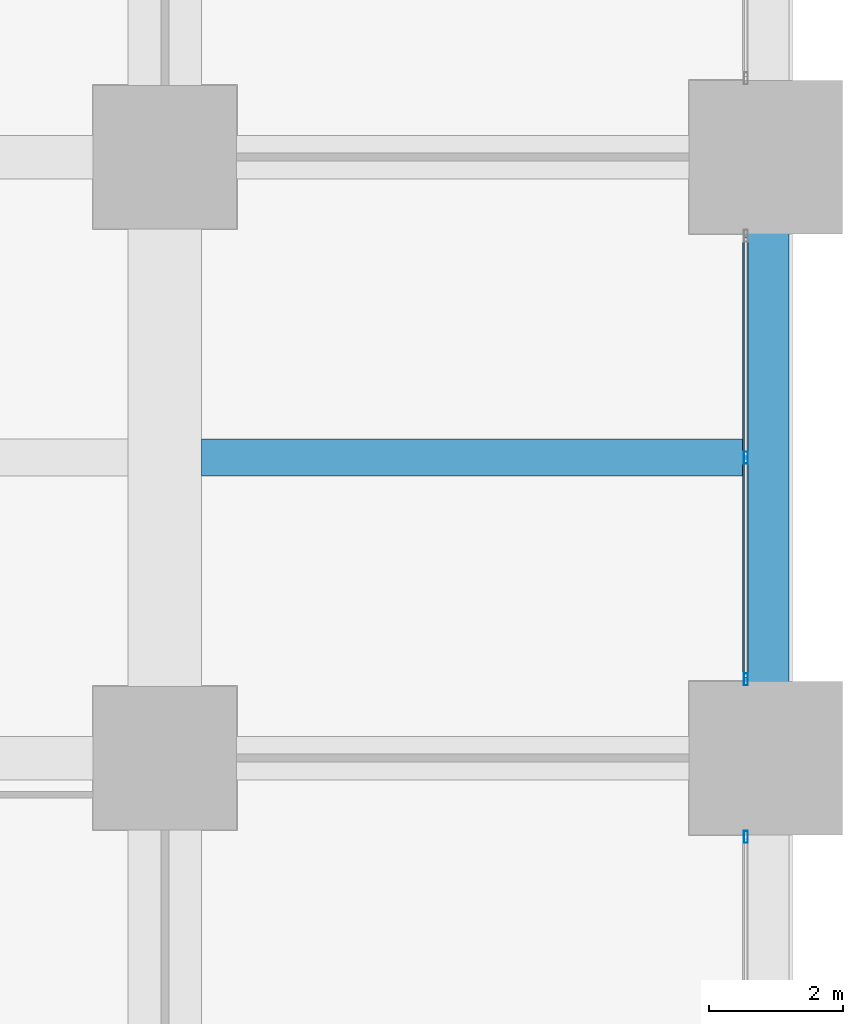
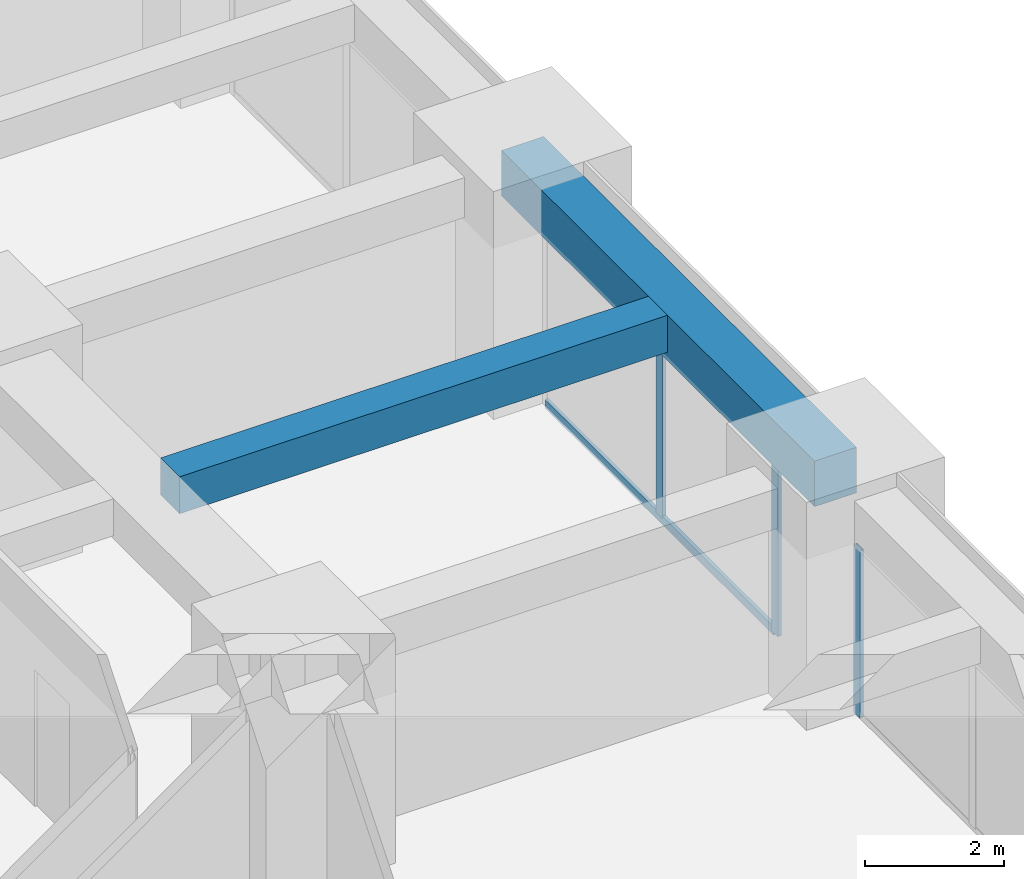
# One storey, part 20 of 44: 4 members, 2 beams, 2 elements without a shape of their own.
"""IFC4 building model written with IfcOpenShell, lengths in metres."""

import ifcopenshell
import ifcopenshell.guid

model = None  # the IFC model being written
_history = None  # IfcOwnerHistory: only IFC2X3 demands one
_inside = {}  # id of a spatial element -> (the spatial element, [elements in it])
_under = {}  # id of a project, library or spatial element -> (it, [spatial elements below it])
_declared = {}  # id of a project -> (the project, [libraries it declares])
_typed = {}  # id of a type object -> (the type object, [elements of that type])
_made_of = {}  # id of a material, layer set ... -> (it, [elements and type objects made of it])


def new_model(schema):
    """Start an empty IFC model of exactly this schema.

    Asked for "IFC4X3", IfcOpenShell would pick the latest addendum, in which some entities
    have other attributes; the version numbers below select the first issue.
    IFC2X3 requires an IfcOwnerHistory on every rooted entity: one is made here for all.
    """
    global model, _history
    if schema == "IFC4X3":
        model = ifcopenshell.file(schema_version=(4, 3, 0, 0))
    else:
        model = ifcopenshell.file(schema=schema)
    _inside.clear()
    _under.clear()
    _declared.clear()
    _typed.clear()
    _made_of.clear()
    _history = None
    if model.schema == "IFC2X3":
        org = make("IfcOrganization", Name="unknown")
        user = make(
            "IfcPersonAndOrganization",
            ThePerson=make("IfcPerson", FamilyName="unknown"),
            TheOrganization=org,
        )
        app = make(
            "IfcApplication",
            ApplicationDeveloper=org,
            Version="unknown",
            ApplicationFullName="unknown",
            ApplicationIdentifier="unknown",
        )
        _history = make(
            "IfcOwnerHistory",
            OwningUser=user,
            OwningApplication=app,
            ChangeAction="ADDED",
            CreationDate=0,
        )
    return model


def make(cls, **values):
    """One entity of the class cls with the attributes given. An attribute that is None is left unset."""
    return model.create_entity(
        cls, **{name: value for name, value in values.items() if value is not None}
    )


def rooted(cls, **values):
    """An entity with a GlobalId (a new one), such as an element, a storey or a relation."""
    return make(cls, GlobalId=ifcopenshell.guid.new(), OwnerHistory=_history, **values)


def si_unit(unit_type, name, prefix=None):
    """IfcSIUnit, for example si_unit("LENGTHUNIT", "METRE", prefix="MILLI")."""
    return make("IfcSIUnit", UnitType=unit_type, Prefix=prefix, Name=name)


def assignment(units):
    """IfcUnitAssignment: the units of a project."""
    return None if units is None else make("IfcUnitAssignment", Units=units)


def point(xyz):
    """IfcCartesianPoint."""
    return None if xyz is None else make("IfcCartesianPoint", Coordinates=xyz)


def direction(xyz):
    """IfcDirection."""
    return None if xyz is None else make("IfcDirection", DirectionRatios=xyz)


def frame(location, z_axis=None, x_axis=None):
    """IfcAxis2Placement3D, a coordinate frame: its origin and axes. An axis left out is left unset."""
    return make(
        "IfcAxis2Placement3D",
        Location=point(location),
        Axis=direction(z_axis),
        RefDirection=direction(x_axis),
    )


def frame_2d(location, x_axis=None):
    """IfcAxis2Placement2D, a coordinate frame in the plane: its origin and x axis."""
    return make(
        "IfcAxis2Placement2D", Location=point(location), RefDirection=direction(x_axis)
    )


def origin():
    """The frame at (0, 0, 0) with its axes left unset."""
    return frame((0.0, 0.0, 0.0))


def origin_2d():
    """The frame at (0, 0) in the plane with its x axis left unset."""
    return frame_2d((0.0, 0.0))


def place(relative_to, where):
    """IfcLocalPlacement: puts the frame where relative to a parent placement (None: the world)."""
    return make(
        "IfcLocalPlacement", PlacementRelTo=relative_to, RelativePlacement=where
    )


def context(
    kind, dimensions, precision=None, world=None, true_north=None, identifier=None
):
    """IfcGeometricRepresentationContext, for example the 3D "Model" context."""
    return make(
        "IfcGeometricRepresentationContext",
        ContextIdentifier=identifier,
        ContextType=kind,
        CoordinateSpaceDimension=dimensions,
        Precision=precision,
        WorldCoordinateSystem=world,
        TrueNorth=true_north,
    )


def subcontext(parent, identifier, kind, view, scale=None):
    """IfcGeometricRepresentationSubContext, for example "Body" below "Model"."""
    return make(
        "IfcGeometricRepresentationSubContext",
        ContextIdentifier=identifier,
        ContextType=kind,
        ParentContext=parent,
        TargetScale=scale,
        TargetView=view,
    )


def project(units=None, contexts=None):
    """IfcProject with its units and contexts."""
    return rooted(
        "IfcProject",
        Name="project",
        RepresentationContexts=contexts,
        UnitsInContext=assignment(units),
    )


def spatial(cls, under=None, at=None, **own):
    """A site, building, storey or space (cls), placed at a placement, below another one or the project."""
    s = rooted(cls, ObjectPlacement=at, **own)
    if under is not None:
        _under.setdefault(under.id(), (under, []))[1].append(s)
    return s


def profile(cls, at=None, kind="AREA", **sizes):
    """A parametric profile (cls). Its sizes go by their IFC names, for example OverallWidth=200.0."""
    return make(cls, ProfileType=kind, Position=at, **sizes)


def rectangle(**sizes):
    """IfcRectangleProfileDef."""
    return profile("IfcRectangleProfileDef", **sizes)


def hollow_rectangle(**sizes):
    """IfcRectangleHollowProfileDef."""
    return profile("IfcRectangleHollowProfileDef", **sizes)


def extrude(swept, where, along, depth):
    """IfcExtrudedAreaSolid: the profile swept, set in the frame where, extruded along a direction by depth."""
    return make(
        "IfcExtrudedAreaSolid",
        SweptArea=swept,
        Position=where,
        ExtrudedDirection=direction(along),
        Depth=depth,
    )


def shape(context_of_items, identifier, shape_type, items):
    """IfcShapeRepresentation: the items that make up one representation, for example the "Body"."""
    return make(
        "IfcShapeRepresentation",
        ContextOfItems=context_of_items,
        RepresentationIdentifier=identifier,
        RepresentationType=shape_type,
        Items=items,
    )


def material(Name=None, Category=None):
    """IfcMaterial."""
    return make("IfcMaterial", Name=Name, Category=Category)


def material_profile(
    of_material, cross_section, Name=None, Category=None, Priority=None
):
    """IfcMaterialProfile: a cross section and its material."""
    return make(
        "IfcMaterialProfile",
        Name=Name,
        Material=of_material,
        Profile=cross_section,
        Priority=Priority,
        Category=Category,
    )


def profile_set(profiles, Name=None, composite=None):
    """IfcMaterialProfileSet."""
    return make(
        "IfcMaterialProfileSet",
        Name=Name,
        MaterialProfiles=profiles,
        CompositeProfile=composite,
    )


def made_of(thing, what):
    """Note that an element or type object is made of a material, layer set ...; save() writes the relation."""
    if what is not None:
        _made_of.setdefault(what.id(), (what, []))[1].append(thing)
    return thing


def type_object(cls, material=None, **own):
    """A type object (cls), such as IfcWallType, which elements share."""
    return made_of(rooted(cls, **own), material)


def element(
    cls,
    number,
    at=None,
    inside=None,
    cuts=None,
    type_object=None,
    material=None,
    context=None,
    identifier="Body",
    shape_type=None,
    held_by="IfcProductDefinitionShape",
    body=None,
    shapes=None,
    **own,
):
    """One element of the class cls, such as IfcWall. Its Tag is "e" and its number.

    at: its placement. inside: the storey or other place that contains it. cuts: it is an
    opening in that element (IfcRelVoidsElement). A single representation is given by context,
    identifier, shape_type and body (its items); several are given by shapes. held_by: the class
    of the entity that holds the representations. save() writes the other relations.
    """
    e = rooted(cls, Tag="e%d" % number, ObjectPlacement=at, **own)
    if body is not None:
        shapes = [shape(context, identifier, shape_type, body)]
    if shapes is not None:
        e.Representation = make(held_by, Representations=shapes)
    if inside is not None:
        _inside.setdefault(inside.id(), (inside, []))[1].append(e)
    if cuts is not None:
        rooted(
            "IfcRelVoidsElement", RelatingBuildingElement=cuts, RelatedOpeningElement=e
        )
    if type_object is not None:
        _typed.setdefault(type_object.id(), (type_object, []))[1].append(e)
    return made_of(e, material)


def aggregate(whole, parts):
    """IfcRelAggregates: a whole, such as a stair, and the parts it consists of."""
    return rooted("IfcRelAggregates", RelatingObject=whole, RelatedObjects=parts)


def save(model, path):
    """Write the relations noted so far, then the file.

    IfcRelAggregates (storeys below a building ...), IfcRelContainedInSpatialStructure (elements
    in a storey), IfcRelDefinesByType, IfcRelAssociatesMaterial and IfcRelDeclares: one each for
    every whole, place, type object, material and project.
    """
    for whole, parts in _under.values():
        aggregate(whole, parts)
    for where, things in _inside.values():
        rooted(
            "IfcRelContainedInSpatialStructure",
            RelatedElements=things,
            RelatingStructure=where,
        )
    for kind, things in _typed.values():
        rooted("IfcRelDefinesByType", RelatedObjects=things, RelatingType=kind)
    for what, things in _made_of.values():
        rooted("IfcRelAssociatesMaterial", RelatedObjects=things, RelatingMaterial=what)
    for by, libraries in _declared.values():
        rooted("IfcRelDeclares", RelatingContext=by, RelatedDefinitions=libraries)
    model.write(path)


model = new_model("IFC4")

# Units and contexts
model_context = context("Model", 3, precision=1e-05, world=origin(), true_north=direction((0.0, 1.0)))
body_context = subcontext(model_context, "Body", "Model", "MODEL_VIEW")
ifc_project = project(units=[si_unit("LENGTHUNIT", "METRE"), si_unit("AREAUNIT", "SQUARE_METRE"), si_unit("VOLUMEUNIT", "CUBIC_METRE"), si_unit("PLANEANGLEUNIT", "RADIAN"), si_unit("MASSUNIT", "GRAM", prefix="KILO")], contexts=[model_context])

# Site, building, storey
site_placement = place(None, origin())
site = spatial("IfcSite", under=ifc_project, at=site_placement, CompositionType="ELEMENT")
building_placement = place(site_placement, origin())
building = spatial("IfcBuilding", under=site, at=building_placement, Name="Zorevar Civic Tower", CompositionType="ELEMENT")
storey_placement = place(building_placement, frame((0.0, 0.0, 59.800048828125)))
storey = spatial("IfcBuildingStorey", under=building, at=storey_placement, Name="L14", CompositionType="ELEMENT", Elevation=59.800048828125)

# Beam
ifc_material_1 = material(Name="Concrete C50/60", Category="concrete")
ifc_material_profile_1 = material_profile(ifc_material_1, rectangle(XDim=0.550048828125, YDim=0.64990234375, at=origin_2d()), Name="RC 550x650")
ifc_profile_set_1 = profile_set([ifc_material_profile_1], Name="Concrete C50/60")
beam_type_1 = type_object("IfcBeamType", Name="Beam RC 550x650", PredefinedType="BEAM", material=ifc_profile_set_1)
beam_1_placement = place(storey_placement, frame((54.550048828125, 22.5, 3.425048828125), z_axis=(1.0, 0.0, 0.0), x_axis=(0.0, 1.0, 0.0)))
element("IfcBeam", 1, at=beam_1_placement, inside=storey, type_object=beam_type_1, Name="Secondary beam L15", PredefinedType="BEAM", context=body_context, shape_type="SweptSolid", body=[
    extrude(rectangle(XDim=0.550048828125, YDim=0.64990234375, at=origin_2d()), origin(), (0.0, 0.0, 1.0), 8.099853515625),
])

# Curtain wall, member
ifc_material_2 = material(Name="Dark grey solar-control glass in black aluminium frame", Category="aluminium")
curtain_wall_type = type_object("IfcCurtainWallType", Name="Curtain wall CW2 low zone", PredefinedType="NOTDEFINED", material=ifc_material_2)
curtain_wall_1_placement = place(storey_placement, origin())
curtain_wall_1 = element("IfcCurtainWall", 2, at=curtain_wall_1_placement, inside=storey, type_object=curtain_wall_type, Name="CW2 L14", PredefinedType="NOTDEFINED")
ifc_material_3 = material(Name="Aluminium, black anodised", Category="aluminium")
ifc_material_profile_2 = material_profile(ifc_material_3, hollow_rectangle(XDim=0.06005859375, YDim=0.179931640625, WallThickness=0.00390625, at=origin_2d()), Name="AL 180x60x4")
ifc_profile_set_2 = profile_set([ifc_material_profile_2], Name="Aluminium, black anodised")
member_type_1 = type_object("IfcMemberType", Name="CW2 mullion AL 180x60x4", PredefinedType="MULLION", material=ifc_profile_set_2)
member_1_placement = place(storey_placement, frame((62.699951171875, 16.820068359375, 0.0), z_axis=(0.0, 0.0, 1.0), x_axis=(-1.0, 0.0, 0.0)))
member_1 = element("IfcMember", 3, at=member_1_placement, type_object=member_type_1, Name="CW2 mullion 3", PredefinedType="MULLION", context=body_context, shape_type="SweptSolid", body=[
    extrude(hollow_rectangle(XDim=0.06005859375, YDim=0.179931640625, WallThickness=0.00390625, at=origin_2d()), origin(), (0.0, 0.0, 1.0), 2.949951171875),
])
aggregate(curtain_wall_1, [member_1])

# Curtain wall, members
curtain_wall_2_placement = place(storey_placement, origin())
curtain_wall_2 = element("IfcCurtainWall", 4, at=curtain_wall_2_placement, inside=storey, type_object=curtain_wall_type, Name="CW2 L14", PredefinedType="NOTDEFINED")
member_2_placement = place(storey_placement, frame((62.699951171875, 19.179931640625, 0.0), z_axis=(0.0, 0.0, 1.0), x_axis=(-1.0, 0.0, 0.0)))
member_2 = element("IfcMember", 5, at=member_2_placement, type_object=member_type_1, Name="CW2 mullion 1", PredefinedType="MULLION", context=body_context, shape_type="SweptSolid", body=[
    extrude(hollow_rectangle(XDim=0.06005859375, YDim=0.179931640625, WallThickness=0.00390625, at=origin_2d()), origin(), (0.0, 0.0, 1.0), 2.949951171875),
])
member_3_placement = place(storey_placement, frame((62.699951171875, 22.5, 0.06005859375), z_axis=(0.0, 0.0, 1.0), x_axis=(-1.0, 0.0, 0.0)))
member_3 = element("IfcMember", 6, at=member_3_placement, type_object=member_type_1, Name="CW2 mullion 2", PredefinedType="MULLION", context=body_context, shape_type="SweptSolid", body=[
    extrude(hollow_rectangle(XDim=0.06005859375, YDim=0.179931640625, WallThickness=0.00390625, at=origin_2d()), origin(), (0.0, 0.0, 1.0), 2.889892578125),
])
ifc_material_4 = material(Name="Aluminium, black anodised", Category="aluminium")
ifc_material_profile_3 = material_profile(ifc_material_4, hollow_rectangle(XDim=0.06005859375, YDim=0.14990234375, WallThickness=0.00390625, at=origin_2d()), Name="AL 150x60x4")
ifc_profile_set_3 = profile_set([ifc_material_profile_3], Name="Aluminium, black anodised")
member_type_2 = type_object("IfcMemberType", Name="CW2 transom AL 150x60x4", PredefinedType="USERDEFINED", material=ifc_profile_set_3)
member_4_placement = place(storey_placement, frame((62.699951171875, 19.2099609375, 0.030029296875), z_axis=(0.0, 1.0, 0.0), x_axis=(-1.0, 0.0, 0.0)))
member_4 = element("IfcMember", 7, at=member_4_placement, type_object=member_type_2, Name="CW2 sill transom", ObjectType="TRANSOM", PredefinedType="USERDEFINED", context=body_context, shape_type="SweptSolid", body=[
    extrude(hollow_rectangle(XDim=0.06005859375, YDim=0.14990234375, WallThickness=0.00390625, at=origin_2d()), origin(), (0.0, 0.0, 1.0), 6.580078125),
])
aggregate(curtain_wall_2, [member_2, member_3, member_4])

# Beam
ifc_material_5 = material(Name="Concrete C50/60", Category="concrete")
ifc_material_profile_4 = material_profile(ifc_material_5, rectangle(XDim=0.699951171875, YDim=0.800048828125, at=origin_2d()), Name="RC 700x800")
ifc_profile_set_4 = profile_set([ifc_material_profile_4], Name="Concrete C50/60")
beam_type_2 = type_object("IfcBeamType", Name="Edge beam RC 700x800", PredefinedType="SPANDREL", material=ifc_profile_set_4)
beam_2_placement = place(storey_placement, frame((63.0, 18.0, 3.349853515625), z_axis=(0.0, 1.0, 0.0), x_axis=(-1.0, 0.0, 0.0)))
element("IfcBeam", 8, at=beam_2_placement, inside=storey, type_object=beam_type_2, Name="Edge beam L15", PredefinedType="SPANDREL", context=body_context, shape_type="SweptSolid", body=[
    extrude(rectangle(XDim=0.699951171875, YDim=0.800048828125, at=origin_2d()), origin(), (0.0, 0.0, 1.0), 9.0),
])

save(model, "model.ifc")
